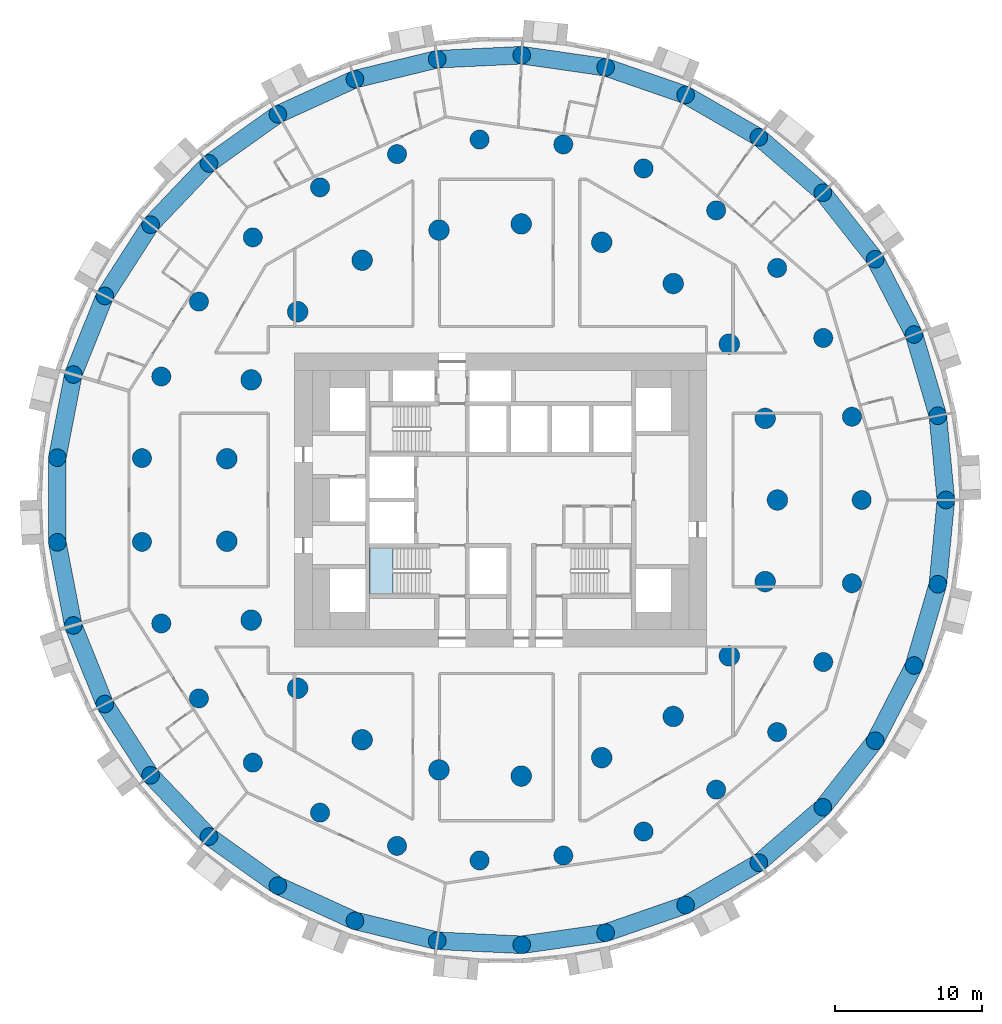
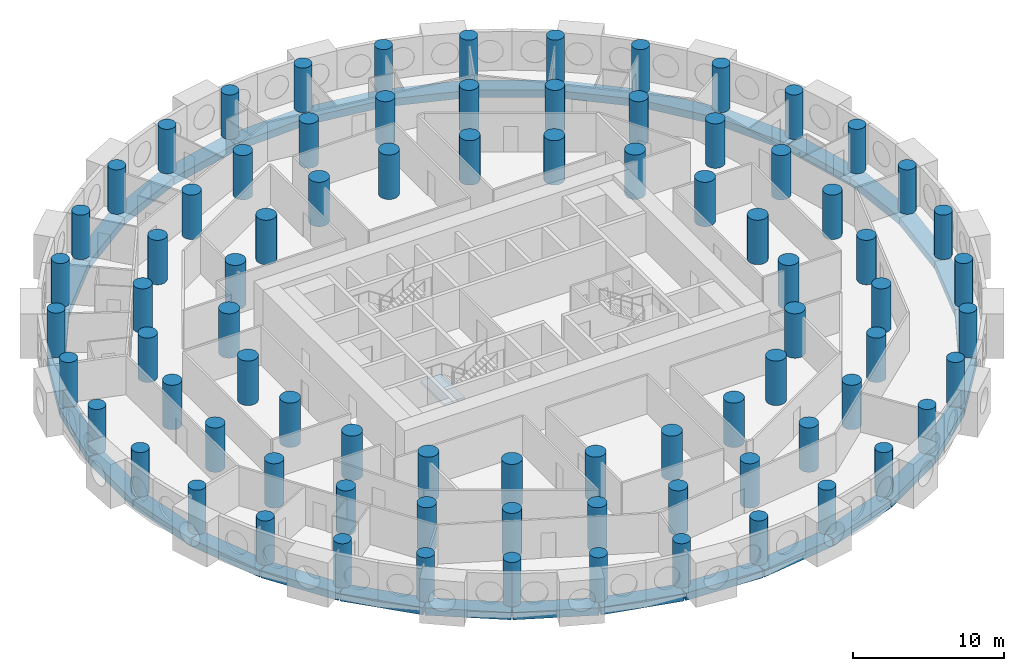
# One storey, part 1 of 12: 81 columns, 33 beams, 1 slab, 1 element without a shape of its own.
"""IFC4 building model written with IfcOpenShell, lengths in metres."""

from ifc_helpers import new_model, si_unit, direction, frame, origin, origin_2d, place, context, subcontext, project, spatial, polyline, rectangle, circle, outline, extrude, material, layer, layer_set, material_profile, profile_set, type_object, element, aggregate, save


model = new_model("IFC4")

# Units and contexts
model_context = context("Model", 3, precision=1e-05, world=origin(), true_north=direction((0.0, 1.0)))
body_context = subcontext(model_context, "Body", "Model", "MODEL_VIEW")
ifc_project = project(units=[si_unit("LENGTHUNIT", "METRE"), si_unit("AREAUNIT", "SQUARE_METRE"), si_unit("VOLUMEUNIT", "CUBIC_METRE"), si_unit("PLANEANGLEUNIT", "RADIAN"), si_unit("MASSUNIT", "GRAM", prefix="KILO")], contexts=[model_context])

# Site, building, storey
site_placement = place(None, origin())
site = spatial("IfcSite", under=ifc_project, at=site_placement, CompositionType="ELEMENT")
building_placement = place(site_placement, origin())
building = spatial("IfcBuilding", under=site, at=building_placement, Name="Tracery Tower", CompositionType="ELEMENT")
storey_placement = place(building_placement, frame((0.0, 0.0, 85.800048828125)))
storey = spatial("IfcBuildingStorey", under=building, at=storey_placement, Name="L21", CompositionType="ELEMENT", Elevation=85.800048828125)

# Columns
ifc_material_1 = material(Name="Concrete C60/75", Category="concrete")
ifc_material_profile_1 = material_profile(ifc_material_1, circle(Radius=0.60009765625, at=origin_2d()), Name="RC D1200")
ifc_profile_set_1 = profile_set([ifc_material_profile_1], Name="Concrete C60/75")
column_type_1 = type_object("IfcColumnType", Name="Ring 0 column 1200", PredefinedType="COLUMN", material=ifc_profile_set_1)
for number, where, z_axis, x_axis, name in (
    (1, (30.274658203125, 0.0, 0.0), (0.0, 0.0, 1.0), (1.0, 0.0, 0.0), "Ring 0 column 00 at L21"),
    (2, (29.7275390625, 5.7294921875, 0.0), (0.0, 0.0, 1.0), (1.0, 0.0, 0.0), "Ring 0 column 01 at L21"),
    (3, (28.10595703125, 11.251953125, 0.0), (0.0, 0.0, 1.0), (1.0, 0.0, 0.0), "Ring 0 column 02 at L21"),
    (4, (25.468505859375, 16.36767578125, 0.0), (0.0, 0.0, 1.0), (1.0, 0.0, 0.0), "Ring 0 column 03 at L21"),
    (5, (21.910888671875, 20.891845703125, 0.0), (0.0, 0.0, 1.0), (1.0, 0.0, 0.0), "Ring 0 column 04 at L21"),
    (6, (17.56103515625, 24.660888671875, 0.0), (0.0, 0.0, 1.0), (1.0, 0.0, 0.0), "Ring 0 column 05 at L21"),
    (7, (12.576416015625, 27.538818359375, 0.0), (0.0, 0.0, 1.0), (1.0, 0.0, 0.0), "Ring 0 column 06 at L21"),
    (8, (7.137451171875, 29.421142578125, 0.0), (0.0, 0.0, 1.0), (1.0, 0.0, 0.0), "Ring 0 column 07 at L21"),
    (9, (1.4404296875, 30.240234375, 0.0), (0.0, 0.0, 1.0), (1.0, 0.0, 0.0), "Ring 0 column 08 at L21"),
    (10, (-4.30859375, 29.96630859375, 0.0), (0.0, 0.0, 1.0), (1.0, 0.0, 0.0), "Ring 0 column 09 at L21"),
    (11, (-9.90185546875, 28.609619140625, 0.0), (0.0, 0.0, 1.0), (1.0, 0.0, 0.0), "Ring 0 column 10 at L21"),
    (12, (-15.13720703125, 26.218505859375, 0.0), (0.0, 0.0, 1.0), (1.0, 0.0, 0.0), "Ring 0 column 11 at L21"),
    (13, (-19.82568359375, 22.8798828125, 0.0), (0.0, 0.0, 1.0), (1.0, 0.0, 0.0), "Ring 0 column 12 at L21"),
    (14, (-23.79736328125, 18.714599609375, 0.0), (0.0, 0.0, 1.0), (1.0, 0.0, 0.0), "Ring 0 column 13 at L21"),
    (15, (-26.9091796875, 13.87255859375, 0.0), (0.0, 0.0, 1.0), (1.0, 0.0, 0.0), "Ring 0 column 14 at L21"),
    (16, (-29.04833984375, 8.529296875, 0.0), (0.0, 0.0, 1.0), (1.0, 0.0, 0.0), "Ring 0 column 15 at L21"),
    (17, (-30.137451171875, 2.877685546875, 0.0), (0.0, 0.0, 1.0), (1.0, 0.0, 0.0), "Ring 0 column 16 at L21"),
    (18, (-30.137451171875, -2.877685546875, 0.0), (0.0, 0.0, 1.0), (1.0, 0.0, 0.0), "Ring 0 column 17 at L21"),
    (19, (-29.04833984375, -8.529296875, 0.0), (0.0, 0.0, 1.0), (1.0, 0.0, 0.0), "Ring 0 column 18 at L21"),
    (20, (-26.9091796875, -13.87255859375, 0.0), (0.0, 0.0, 1.0), (1.0, 0.0, 0.0), "Ring 0 column 19 at L21"),
    (21, (-23.79736328125, -18.714599609375, 0.0), (0.0, 0.0, 1.0), (1.0, 0.0, 0.0), "Ring 0 column 20 at L21"),
    (22, (-19.82568359375, -22.8798828125, 0.0), (0.0, 0.0, 1.0), (1.0, 0.0, 0.0), "Ring 0 column 21 at L21"),
    (23, (-15.13720703125, -26.218505859375, 0.0), (0.0, 0.0, 1.0), (1.0, 0.0, 0.0), "Ring 0 column 22 at L21"),
    (24, (-9.90185546875, -28.609619140625, 0.0), (0.0, 0.0, 1.0), (1.0, 0.0, 0.0), "Ring 0 column 23 at L21"),
    (25, (-4.30859375, -29.96630859375, 0.0), (0.0, 0.0, 1.0), (1.0, 0.0, 0.0), "Ring 0 column 24 at L21"),
    (26, (1.4404296875, -30.240234375, 0.0), (0.0, 0.0, 1.0), (1.0, 0.0, 0.0), "Ring 0 column 25 at L21"),
    (27, (7.137451171875, -29.421142578125, 0.0), (0.0, 0.0, 1.0), (1.0, 0.0, 0.0), "Ring 0 column 26 at L21"),
    (28, (12.576416015625, -27.538818359375, 0.0), (0.0, 0.0, 1.0), (1.0, 0.0, 0.0), "Ring 0 column 27 at L21"),
    (29, (17.56103515625, -24.660888671875, 0.0), (0.0, 0.0, 1.0), (1.0, 0.0, 0.0), "Ring 0 column 28 at L21"),
    (30, (21.910888671875, -20.891845703125, 0.0), (0.0, 0.0, 1.0), (1.0, 0.0, 0.0), "Ring 0 column 29 at L21"),
    (31, (25.468505859375, -16.36767578125, 0.0), (0.0, 0.0, 1.0), (1.0, 0.0, 0.0), "Ring 0 column 30 at L21"),
    (32, (28.10595703125, -11.251953125, 0.0), (0.0, 0.0, 1.0), (1.0, 0.0, 0.0), "Ring 0 column 31 at L21"),
    (33, (29.7275390625, -5.7294921875, 0.0), (0.0, 0.0, 1.0), (1.0, 0.0, 0.0), "Ring 0 column 32 at L21"),
):
    element("IfcColumn", number, at=place(storey_placement, frame(where, z_axis=z_axis, x_axis=x_axis)), inside=storey, type_object=column_type_1, Name=name, PredefinedType="COLUMN", context=body_context, shape_type="SweptSolid", body=[
        extrude(circle(Radius=0.60009765625, at=origin_2d()), origin(), (0.0, 0.0, 1.0), 3.599853515625),
    ])
ifc_material_2 = material(Name="Concrete C60/75", Category="concrete")
ifc_material_profile_2 = material_profile(ifc_material_2, circle(Radius=0.64990234375, at=origin_2d()), Name="RC D1300")
ifc_profile_set_2 = profile_set([ifc_material_profile_2], Name="Concrete C60/75")
column_type_2 = type_object("IfcColumnType", Name="Ring 1 column 1300", PredefinedType="COLUMN", material=ifc_profile_set_2)
for number, where, z_axis, x_axis, name in (
    (34, (24.547607421875, 0.0, 0.0), (0.0, 0.0, 1.0), (1.0, 0.0, 0.0), "Ring 1 column 00 at L21"),
    (35, (23.885986328125, 5.6611328125, 0.0), (0.0, 0.0, 1.0), (1.0, 0.0, 0.0), "Ring 1 column 01 at L21"),
    (36, (21.9365234375, 11.01708984375, 0.0), (0.0, 0.0, 1.0), (1.0, 0.0, 0.0), "Ring 1 column 02 at L21"),
    (37, (18.8046875, 15.779052734375, 0.0), (0.0, 0.0, 1.0), (1.0, 0.0, 0.0), "Ring 1 column 03 at L21"),
    (38, (14.658935546875, 19.690185546875, 0.0), (0.0, 0.0, 1.0), (1.0, 0.0, 0.0), "Ring 1 column 04 at L21"),
    (39, (9.722900390625, 22.5400390625, 0.0), (0.0, 0.0, 1.0), (1.0, 0.0, 0.0), "Ring 1 column 05 at L21"),
    (40, (4.2626953125, 24.1748046875, 0.0), (0.0, 0.0, 1.0), (1.0, 0.0, 0.0), "Ring 1 column 06 at L21"),
    (41, (-1.42724609375, 24.506103515625, 0.0), (0.0, 0.0, 1.0), (1.0, 0.0, 0.0), "Ring 1 column 07 at L21"),
    (42, (-7.040283203125, 23.516357421875, 0.0), (0.0, 0.0, 1.0), (1.0, 0.0, 0.0), "Ring 1 column 08 at L21"),
    (43, (-12.273681640625, 21.2587890625, 0.0), (0.0, 0.0, 1.0), (1.0, 0.0, 0.0), "Ring 1 column 09 at L21"),
    (44, (-16.845703125, 17.855224609375, 0.0), (0.0, 0.0, 1.0), (1.0, 0.0, 0.0), "Ring 1 column 10 at L21"),
    (45, (-20.50927734375, 13.4892578125, 0.0), (0.0, 0.0, 1.0), (1.0, 0.0, 0.0), "Ring 1 column 11 at L21"),
    (46, (-23.0673828125, 8.395751953125, 0.0), (0.0, 0.0, 1.0), (1.0, 0.0, 0.0), "Ring 1 column 12 at L21"),
    (47, (-24.381591796875, 2.849853515625, 0.0), (0.0, 0.0, 1.0), (1.0, 0.0, 0.0), "Ring 1 column 13 at L21"),
    (48, (-24.381591796875, -2.849853515625, 0.0), (0.0, 0.0, 1.0), (1.0, 0.0, 0.0), "Ring 1 column 14 at L21"),
    (49, (-23.0673828125, -8.395751953125, 0.0), (0.0, 0.0, 1.0), (1.0, 0.0, 0.0), "Ring 1 column 15 at L21"),
    (50, (-20.50927734375, -13.4892578125, 0.0), (0.0, 0.0, 1.0), (1.0, 0.0, 0.0), "Ring 1 column 16 at L21"),
    (51, (-16.845703125, -17.85546875, 0.0), (0.0, 0.0, 1.0), (1.0, 0.0, 0.0), "Ring 1 column 17 at L21"),
    (52, (-12.27392578125, -21.2587890625, 0.0), (0.0, 0.0, 1.0), (1.0, 0.0, 0.0), "Ring 1 column 18 at L21"),
    (53, (-7.040283203125, -23.516357421875, 0.0), (0.0, 0.0, 1.0), (1.0, 0.0, 0.0), "Ring 1 column 19 at L21"),
    (54, (-1.42724609375, -24.506103515625, 0.0), (0.0, 0.0, 1.0), (1.0, 0.0, 0.0), "Ring 1 column 20 at L21"),
    (55, (4.2626953125, -24.1748046875, 0.0), (0.0, 0.0, 1.0), (1.0, 0.0, 0.0), "Ring 1 column 21 at L21"),
    (56, (9.722900390625, -22.5400390625, 0.0), (0.0, 0.0, 1.0), (1.0, 0.0, 0.0), "Ring 1 column 22 at L21"),
    (57, (14.658935546875, -19.690185546875, 0.0), (0.0, 0.0, 1.0), (1.0, 0.0, 0.0), "Ring 1 column 23 at L21"),
    (58, (18.8046875, -15.779052734375, 0.0), (0.0, 0.0, 1.0), (1.0, 0.0, 0.0), "Ring 1 column 24 at L21"),
    (59, (21.9365234375, -11.01708984375, 0.0), (0.0, 0.0, 1.0), (1.0, 0.0, 0.0), "Ring 1 column 25 at L21"),
    (60, (23.885986328125, -5.6611328125, 0.0), (0.0, 0.0, 1.0), (1.0, 0.0, 0.0), "Ring 1 column 26 at L21"),
):
    element("IfcColumn", number, at=place(storey_placement, frame(where, z_axis=z_axis, x_axis=x_axis)), inside=storey, type_object=column_type_2, Name=name, PredefinedType="COLUMN", context=body_context, shape_type="SweptSolid", body=[
        extrude(circle(Radius=0.64990234375, at=origin_2d()), origin(), (0.0, 0.0, 1.0), 3.599853515625),
    ])
ifc_material_3 = material(Name="Concrete C60/75", Category="concrete")
ifc_material_profile_3 = material_profile(ifc_material_3, circle(Radius=0.699951171875, at=origin_2d()), Name="RC D1400")
ifc_profile_set_3 = profile_set([ifc_material_profile_3], Name="Concrete C60/75")
column_type_3 = type_object("IfcColumnType", Name="Ring 2 column 1400", PredefinedType="COLUMN", material=ifc_profile_set_3)
for number, where, z_axis, x_axis, name in (
    (61, (18.822265625, 0.0, 0.0), (0.0, 0.0, 1.0), (1.0, 0.0, 0.0), "Ring 2 column 00 at L21"),
    (62, (17.986083984375, 5.5478515625, 0.0), (0.0, 0.0, 1.0), (1.0, 0.0, 0.0), "Ring 2 column 01 at L21"),
    (63, (15.551513671875, 10.602783203125, 0.0), (0.0, 0.0, 1.0), (1.0, 0.0, 0.0), "Ring 2 column 02 at L21"),
    (64, (11.7353515625, 14.7158203125, 0.0), (0.0, 0.0, 1.0), (1.0, 0.0, 0.0), "Ring 2 column 03 at L21"),
    (65, (6.87646484375, 17.52099609375, 0.0), (0.0, 0.0, 1.0), (1.0, 0.0, 0.0), "Ring 2 column 04 at L21"),
    (66, (1.406494140625, 18.76953125, 0.0), (0.0, 0.0, 1.0), (1.0, 0.0, 0.0), "Ring 2 column 05 at L21"),
    (67, (-4.188232421875, 18.350341796875, 0.0), (0.0, 0.0, 1.0), (1.0, 0.0, 0.0), "Ring 2 column 06 at L21"),
    (68, (-9.4111328125, 16.300537109375, 0.0), (0.0, 0.0, 1.0), (1.0, 0.0, 0.0), "Ring 2 column 07 at L21"),
    (69, (-13.797607421875, 12.802490234375, 0.0), (0.0, 0.0, 1.0), (1.0, 0.0, 0.0), "Ring 2 column 08 at L21"),
    (70, (-16.958251953125, 8.16650390625, 0.0), (0.0, 0.0, 1.0), (1.0, 0.0, 0.0), "Ring 2 column 09 at L21"),
    (71, (-18.612060546875, 2.805419921875, 0.0), (0.0, 0.0, 1.0), (1.0, 0.0, 0.0), "Ring 2 column 10 at L21"),
    (72, (-18.612060546875, -2.805419921875, 0.0), (0.0, 0.0, 1.0), (1.0, 0.0, 0.0), "Ring 2 column 11 at L21"),
    (73, (-16.958251953125, -8.166748046875, 0.0), (0.0, 0.0, 1.0), (1.0, 0.0, 0.0), "Ring 2 column 12 at L21"),
    (74, (-13.797607421875, -12.80224609375, 0.0), (0.0, 0.0, 1.0), (1.0, 0.0, 0.0), "Ring 2 column 13 at L21"),
    (75, (-9.4111328125, -16.300537109375, 0.0), (0.0, 0.0, 1.0), (1.0, 0.0, 0.0), "Ring 2 column 14 at L21"),
    (76, (-4.188232421875, -18.350341796875, 0.0), (0.0, 0.0, 1.0), (1.0, 0.0, 0.0), "Ring 2 column 15 at L21"),
    (77, (1.406494140625, -18.76953125, 0.0), (0.0, 0.0, 1.0), (1.0, 0.0, 0.0), "Ring 2 column 16 at L21"),
    (78, (6.87646484375, -17.52099609375, 0.0), (0.0, 0.0, 1.0), (1.0, 0.0, 0.0), "Ring 2 column 17 at L21"),
    (79, (11.7353515625, -14.7158203125, 0.0), (0.0, 0.0, 1.0), (1.0, 0.0, 0.0), "Ring 2 column 18 at L21"),
    (80, (15.551513671875, -10.602783203125, 0.0), (0.0, 0.0, 1.0), (1.0, 0.0, 0.0), "Ring 2 column 19 at L21"),
    (81, (17.986083984375, -5.5478515625, 0.0), (0.0, 0.0, 1.0), (1.0, 0.0, 0.0), "Ring 2 column 20 at L21"),
):
    element("IfcColumn", number, at=place(storey_placement, frame(where, z_axis=z_axis, x_axis=x_axis)), inside=storey, type_object=column_type_3, Name=name, PredefinedType="COLUMN", context=body_context, shape_type="SweptSolid", body=[
        extrude(circle(Radius=0.699951171875, at=origin_2d()), origin(), (0.0, 0.0, 1.0), 3.599853515625),
    ])

# Beams
ifc_material_4 = material(Name="Concrete C60/75", Category="concrete")
ifc_material_profile_4 = material_profile(ifc_material_4, rectangle(XDim=1.199951171875, YDim=0.60009765625, at=origin_2d()), Name="RC 1200x600")
ifc_profile_set_4 = profile_set([ifc_material_profile_4], Name="Concrete C60/75")
beam_type = type_object("IfcBeamType", Name="Perimeter band beam 1200x600", PredefinedType="BEAM", material=ifc_profile_set_4)
for number, where, z_axis, x_axis, name in (
    (82, (30.274658203125, 0.0, -0.75), (-0.095059309677, 0.995471610667, 0.0), (-0.995471610667, -0.095059309677, 0.0), "Perimeter beam 0.00 under L21"),
    (83, (29.7275390625, 5.7294921875, -0.75), (-0.281739145896, 0.959491038869, 0.0), (-0.959491038869, -0.281739145896, 0.0), "Perimeter beam 0.01 under L21"),
    (84, (28.10595703125, 11.251953125, -0.75), (-0.458242010493, 0.88882746347, 0.0), (-0.88882746347, -0.458242010493, 0.0), "Perimeter beam 0.02 under L21"),
):
    element("IfcBeam", number, at=place(storey_placement, frame(where, z_axis=z_axis, x_axis=x_axis)), inside=storey, type_object=beam_type, Name=name, PredefinedType="BEAM", context=body_context, shape_type="SweptSolid", body=[
        extrude(rectangle(XDim=1.199951171875, YDim=0.60009765625, at=origin_2d()), origin(), (0.0, 0.0, 1.0), 5.755615234375),
    ])
beam_1_placement = place(storey_placement, frame((25.468505859375, 16.36767578125, -0.75), z_axis=(-0.618134362257, 0.786072458618, 0.0), x_axis=(-0.786072458618, -0.618134362257, 0.0)))
element("IfcBeam", 85, at=beam_1_placement, inside=storey, type_object=beam_type, Name="Perimeter beam 0.03 under L21", PredefinedType="BEAM", context=body_context, shape_type="SweptSolid", body=[
    extrude(rectangle(XDim=1.199951171875, YDim=0.60009765625, at=origin_2d()), origin(), (0.0, 0.0, 1.0), 5.75537109375),
])
beam_2_placement = place(storey_placement, frame((21.910888671875, 20.891845703125, -0.75), z_axis=(-0.755760456715, 0.65484817482, 0.0), x_axis=(-0.65484817482, -0.755760456715, 0.0)))
element("IfcBeam", 86, at=beam_2_placement, inside=storey, type_object=beam_type, Name="Perimeter beam 0.04 under L21", PredefinedType="BEAM", context=body_context, shape_type="SweptSolid", body=[
    extrude(rectangle(XDim=1.199951171875, YDim=0.60009765625, at=origin_2d()), origin(), (0.0, 0.0, 1.0), 5.755615234375),
])
beam_3_placement = place(storey_placement, frame((17.56103515625, 24.660888671875, -0.75), z_axis=(-0.866021003874, 0.50000762079, 0.0), x_axis=(-0.50000762079, -0.866021003874, 0.0)))
element("IfcBeam", 87, at=beam_3_placement, inside=storey, type_object=beam_type, Name="Perimeter beam 0.05 under L21", PredefinedType="BEAM", context=body_context, shape_type="SweptSolid", body=[
    extrude(rectangle(XDim=1.199951171875, YDim=0.60009765625, at=origin_2d()), origin(), (0.0, 0.0, 1.0), 5.755859375),
])
beam_4_placement = place(storey_placement, frame((12.576416015625, 27.538818359375, -0.75), z_axis=(-0.945007252869, 0.327049372458, 0.0), x_axis=(-0.327049372458, -0.945007252869, 0.0)))
element("IfcBeam", 88, at=beam_4_placement, inside=storey, type_object=beam_type, Name="Perimeter beam 0.06 under L21", PredefinedType="BEAM", context=body_context, shape_type="SweptSolid", body=[
    extrude(rectangle(XDim=1.199951171875, YDim=0.60009765625, at=origin_2d()), origin(), (0.0, 0.0, 1.0), 5.75537109375),
])
for number, where, z_axis, x_axis, name in (
    (89, (7.137451171875, 29.421142578125, -0.75), (-0.989821839174, 0.142312075013, 0.0), (-0.142312075013, -0.989821839174, 0.0), "Perimeter beam 0.07 under L21"),
    (90, (1.4404296875, 30.240234375, -0.75), (-0.998866793759, -0.047593364303, 0.0), (0.047593364303, -0.998866793759, 0.0), "Perimeter beam 0.08 under L21"),
):
    element("IfcBeam", number, at=place(storey_placement, frame(where, z_axis=z_axis, x_axis=x_axis)), inside=storey, type_object=beam_type, Name=name, PredefinedType="BEAM", context=body_context, shape_type="SweptSolid", body=[
        extrude(rectangle(XDim=1.199951171875, YDim=0.60009765625, at=origin_2d()), origin(), (0.0, 0.0, 1.0), 5.755615234375),
    ])
beam_5_placement = place(storey_placement, frame((-4.30859375, 29.96630859375, -0.75), z_axis=(-0.971820371509, -0.235722645328, 0.0), x_axis=(0.235722645328, -0.971820371509, 0.0)))
element("IfcBeam", 91, at=beam_5_placement, inside=storey, type_object=beam_type, Name="Perimeter beam 0.09 under L21", PredefinedType="BEAM", context=body_context, shape_type="SweptSolid", body=[
    extrude(rectangle(XDim=1.199951171875, YDim=0.60009765625, at=origin_2d()), origin(), (0.0, 0.0, 1.0), 5.75537109375),
])
for number, where, z_axis, x_axis, name in (
    (92, (-9.90185546875, 28.609619140625, -0.75), (-0.909618316865, -0.415444963411, 0.0), (0.415444963411, -0.909618316865, 0.0), "Perimeter beam 0.10 under L21"),
    (93, (-15.13720703125, 26.218505859375, -0.75), (-0.8145780864, -0.580053912285, 0.0), (0.580053912285, -0.8145780864, 0.0), "Perimeter beam 0.11 under L21"),
):
    element("IfcBeam", number, at=place(storey_placement, frame(where, z_axis=z_axis, x_axis=x_axis)), inside=storey, type_object=beam_type, Name=name, PredefinedType="BEAM", context=body_context, shape_type="SweptSolid", body=[
        extrude(rectangle(XDim=1.199951171875, YDim=0.60009765625, at=origin_2d()), origin(), (0.0, 0.0, 1.0), 5.755615234375),
    ])
beam_6_placement = place(storey_placement, frame((-19.82568359375, 22.8798828125, -0.75), z_axis=(-0.690087218267, -0.723726212863, 0.0), x_axis=(0.723726212863, -0.690087218267, 0.0)))
element("IfcBeam", 94, at=beam_6_placement, inside=storey, type_object=beam_type, Name="Perimeter beam 0.12 under L21", PredefinedType="BEAM", context=body_context, shape_type="SweptSolid", body=[
    extrude(rectangle(XDim=1.199951171875, YDim=0.60009765625, at=origin_2d()), origin(), (0.0, 0.0, 1.0), 5.75537109375),
])
beam_7_placement = place(storey_placement, frame((-23.79736328125, 18.714599609375, -0.75), z_axis=(-0.540643964602, -0.841251510274, 0.0), x_axis=(0.841251510274, -0.540643964602, 0.0)))
element("IfcBeam", 95, at=beam_7_placement, inside=storey, type_object=beam_type, Name="Perimeter beam 0.13 under L21", PredefinedType="BEAM", context=body_context, shape_type="SweptSolid", body=[
    extrude(rectangle(XDim=1.199951171875, YDim=0.60009765625, at=origin_2d()), origin(), (0.0, 0.0, 1.0), 5.755859375),
])
for number, where, z_axis, x_axis, name in (
    (96, (-26.9091796875, 13.87255859375, -0.75), (-0.371668572289, -0.928365484264, 0.0), (0.928365484264, -0.371668572289, 0.0), "Perimeter beam 0.14 under L21"),
    (97, (-29.04833984375, 8.529296875, -0.75), (-0.189226539295, -0.981933458451, 0.0), (0.981933458451, -0.189226539295, 0.0), "Perimeter beam 0.15 under L21"),
):
    element("IfcBeam", number, at=place(storey_placement, frame(where, z_axis=z_axis, x_axis=x_axis)), inside=storey, type_object=beam_type, Name=name, PredefinedType="BEAM", context=body_context, shape_type="SweptSolid", body=[
        extrude(rectangle(XDim=1.199951171875, YDim=0.60009765625, at=origin_2d()), origin(), (0.0, 0.0, 1.0), 5.755615234375),
    ])
beam_8_placement = place(storey_placement, frame((-30.137451171875, 2.877685546875, -0.75), z_axis=(0.0, -1.0, 0.0), x_axis=(1.0, 0.0, 0.0)))
element("IfcBeam", 98, at=beam_8_placement, inside=storey, type_object=beam_type, Name="Perimeter beam 0.16 under L21", PredefinedType="BEAM", context=body_context, shape_type="SweptSolid", body=[
    extrude(rectangle(XDim=1.199951171875, YDim=0.60009765625, at=origin_2d()), origin(), (0.0, 0.0, 1.0), 5.75537109375),
])
for number, where, z_axis, x_axis, name in (
    (99, (-30.137451171875, -2.877685546875, -0.75), (0.189226539295, -0.981933458451, 0.0), (0.981933458451, 0.189226539295, 0.0), "Perimeter beam 0.17 under L21"),
    (100, (-29.04833984375, -8.529296875, -0.75), (0.371668572289, -0.928365484264, 0.0), (0.928365484264, 0.371668572289, 0.0), "Perimeter beam 0.18 under L21"),
):
    element("IfcBeam", number, at=place(storey_placement, frame(where, z_axis=z_axis, x_axis=x_axis)), inside=storey, type_object=beam_type, Name=name, PredefinedType="BEAM", context=body_context, shape_type="SweptSolid", body=[
        extrude(rectangle(XDim=1.199951171875, YDim=0.60009765625, at=origin_2d()), origin(), (0.0, 0.0, 1.0), 5.755615234375),
    ])
beam_9_placement = place(storey_placement, frame((-26.9091796875, -13.87255859375, -0.75), z_axis=(0.540643964602, -0.841251510274, 0.0), x_axis=(0.841251510274, 0.540643964602, 0.0)))
element("IfcBeam", 101, at=beam_9_placement, inside=storey, type_object=beam_type, Name="Perimeter beam 0.19 under L21", PredefinedType="BEAM", context=body_context, shape_type="SweptSolid", body=[
    extrude(rectangle(XDim=1.199951171875, YDim=0.60009765625, at=origin_2d()), origin(), (0.0, 0.0, 1.0), 5.755859375),
])
beam_10_placement = place(storey_placement, frame((-23.79736328125, -18.714599609375, -0.75), z_axis=(0.690087218267, -0.723726212863, 0.0), x_axis=(0.723726212863, 0.690087218267, 0.0)))
element("IfcBeam", 102, at=beam_10_placement, inside=storey, type_object=beam_type, Name="Perimeter beam 0.20 under L21", PredefinedType="BEAM", context=body_context, shape_type="SweptSolid", body=[
    extrude(rectangle(XDim=1.199951171875, YDim=0.60009765625, at=origin_2d()), origin(), (0.0, 0.0, 1.0), 5.75537109375),
])
for number, where, z_axis, x_axis, name in (
    (103, (-19.82568359375, -22.8798828125, -0.75), (0.8145780864, -0.580053912285, 0.0), (0.580053912285, 0.8145780864, 0.0), "Perimeter beam 0.21 under L21"),
    (104, (-15.13720703125, -26.218505859375, -0.75), (0.909618316865, -0.415444963411, 0.0), (0.415444963411, 0.909618316865, 0.0), "Perimeter beam 0.22 under L21"),
):
    element("IfcBeam", number, at=place(storey_placement, frame(where, z_axis=z_axis, x_axis=x_axis)), inside=storey, type_object=beam_type, Name=name, PredefinedType="BEAM", context=body_context, shape_type="SweptSolid", body=[
        extrude(rectangle(XDim=1.199951171875, YDim=0.60009765625, at=origin_2d()), origin(), (0.0, 0.0, 1.0), 5.755615234375),
    ])
beam_11_placement = place(storey_placement, frame((-9.90185546875, -28.609619140625, -0.75), z_axis=(0.971820371509, -0.235722645328, 0.0), x_axis=(0.235722645328, 0.971820371509, 0.0)))
element("IfcBeam", 105, at=beam_11_placement, inside=storey, type_object=beam_type, Name="Perimeter beam 0.23 under L21", PredefinedType="BEAM", context=body_context, shape_type="SweptSolid", body=[
    extrude(rectangle(XDim=1.199951171875, YDim=0.60009765625, at=origin_2d()), origin(), (0.0, 0.0, 1.0), 5.75537109375),
])
for number, where, z_axis, x_axis, name in (
    (106, (-4.30859375, -29.96630859375, -0.75), (0.998866793759, -0.047593364303, 0.0), (0.047593364303, 0.998866793759, 0.0), "Perimeter beam 0.24 under L21"),
    (107, (1.4404296875, -30.240234375, -0.75), (0.989821839174, 0.142312075013, 0.0), (-0.142312075013, 0.989821839174, 0.0), "Perimeter beam 0.25 under L21"),
):
    element("IfcBeam", number, at=place(storey_placement, frame(where, z_axis=z_axis, x_axis=x_axis)), inside=storey, type_object=beam_type, Name=name, PredefinedType="BEAM", context=body_context, shape_type="SweptSolid", body=[
        extrude(rectangle(XDim=1.199951171875, YDim=0.60009765625, at=origin_2d()), origin(), (0.0, 0.0, 1.0), 5.755615234375),
    ])
beam_12_placement = place(storey_placement, frame((7.137451171875, -29.421142578125, -0.75), z_axis=(0.945007252869, 0.327049372458, 0.0), x_axis=(-0.327049372458, 0.945007252869, 0.0)))
element("IfcBeam", 108, at=beam_12_placement, inside=storey, type_object=beam_type, Name="Perimeter beam 0.26 under L21", PredefinedType="BEAM", context=body_context, shape_type="SweptSolid", body=[
    extrude(rectangle(XDim=1.199951171875, YDim=0.60009765625, at=origin_2d()), origin(), (0.0, 0.0, 1.0), 5.75537109375),
])
beam_13_placement = place(storey_placement, frame((12.576416015625, -27.538818359375, -0.75), z_axis=(0.866021003874, 0.50000762079, 0.0), x_axis=(-0.50000762079, 0.866021003874, 0.0)))
element("IfcBeam", 109, at=beam_13_placement, inside=storey, type_object=beam_type, Name="Perimeter beam 0.27 under L21", PredefinedType="BEAM", context=body_context, shape_type="SweptSolid", body=[
    extrude(rectangle(XDim=1.199951171875, YDim=0.60009765625, at=origin_2d()), origin(), (0.0, 0.0, 1.0), 5.755859375),
])
beam_14_placement = place(storey_placement, frame((17.56103515625, -24.660888671875, -0.75), z_axis=(0.755760456715, 0.65484817482, 0.0), x_axis=(-0.65484817482, 0.755760456715, 0.0)))
element("IfcBeam", 110, at=beam_14_placement, inside=storey, type_object=beam_type, Name="Perimeter beam 0.28 under L21", PredefinedType="BEAM", context=body_context, shape_type="SweptSolid", body=[
    extrude(rectangle(XDim=1.199951171875, YDim=0.60009765625, at=origin_2d()), origin(), (0.0, 0.0, 1.0), 5.755615234375),
])
beam_15_placement = place(storey_placement, frame((21.910888671875, -20.891845703125, -0.75), z_axis=(0.618134362257, 0.786072458618, 0.0), x_axis=(-0.786072458618, 0.618134362257, 0.0)))
element("IfcBeam", 111, at=beam_15_placement, inside=storey, type_object=beam_type, Name="Perimeter beam 0.29 under L21", PredefinedType="BEAM", context=body_context, shape_type="SweptSolid", body=[
    extrude(rectangle(XDim=1.199951171875, YDim=0.60009765625, at=origin_2d()), origin(), (0.0, 0.0, 1.0), 5.75537109375),
])
for number, where, z_axis, x_axis, name in (
    (112, (25.468505859375, -16.36767578125, -0.75), (0.458242010493, 0.88882746347, 0.0), (-0.88882746347, 0.458242010493, 0.0), "Perimeter beam 0.30 under L21"),
    (113, (28.10595703125, -11.251953125, -0.75), (0.281739145896, 0.959491038869, 0.0), (-0.959491038869, 0.281739145896, 0.0), "Perimeter beam 0.31 under L21"),
    (114, (29.7275390625, -5.7294921875, -0.75), (0.095059309677, 0.995471610667, 0.0), (-0.995471610667, 0.095059309677, 0.0), "Perimeter beam 0.32 under L21"),
):
    element("IfcBeam", number, at=place(storey_placement, frame(where, z_axis=z_axis, x_axis=x_axis)), inside=storey, type_object=beam_type, Name=name, PredefinedType="BEAM", context=body_context, shape_type="SweptSolid", body=[
        extrude(rectangle(XDim=1.199951171875, YDim=0.60009765625, at=origin_2d()), origin(), (0.0, 0.0, 1.0), 5.755615234375),
    ])

# Stair, slab
ifc_material_5 = material(Name="Concrete C32/40", Category="concrete")
stair_type = type_object("IfcStairType", Name="Core stair 22 risers", PredefinedType="HALF_TURN_STAIR", material=ifc_material_5)
stair_placement = place(storey_placement, origin())
stair = element("IfcStair", 115, at=stair_placement, inside=storey, type_object=stair_type, Name="L21 stair ST1", PredefinedType="HALF_TURN_STAIR")
ifc_material_6 = material(Name="Concrete C32/40", Category="concrete")
ifc_layer = layer(ifc_material_6, 0.199951171875)
ifc_layer_set = layer_set([ifc_layer], Name="Stair landing slab 200")
slab_type = type_object("IfcSlabType", Name="Stair landing slab 200", PredefinedType="LANDING", material=ifc_layer_set)
slab_placement = place(storey_placement, frame((0.0, 0.0, 1.599853515625)))
slab = element("IfcSlab", 116, at=slab_placement, type_object=slab_type, Name="ST1 landing 1", PredefinedType="LANDING", context=body_context, shape_type="SweptSolid", body=[
    extrude(outline(polyline([(-7.29931640625, -3.25), (-8.89990234375, -3.25), (-8.89990234375, -6.39990234375), (-7.29931640625, -6.39990234375), (-7.29931640625, -3.25)])), origin(), (0.0, 0.0, 1.0), 0.2001953125),
])
aggregate(stair, [slab])

save(model, "model.ifc")
